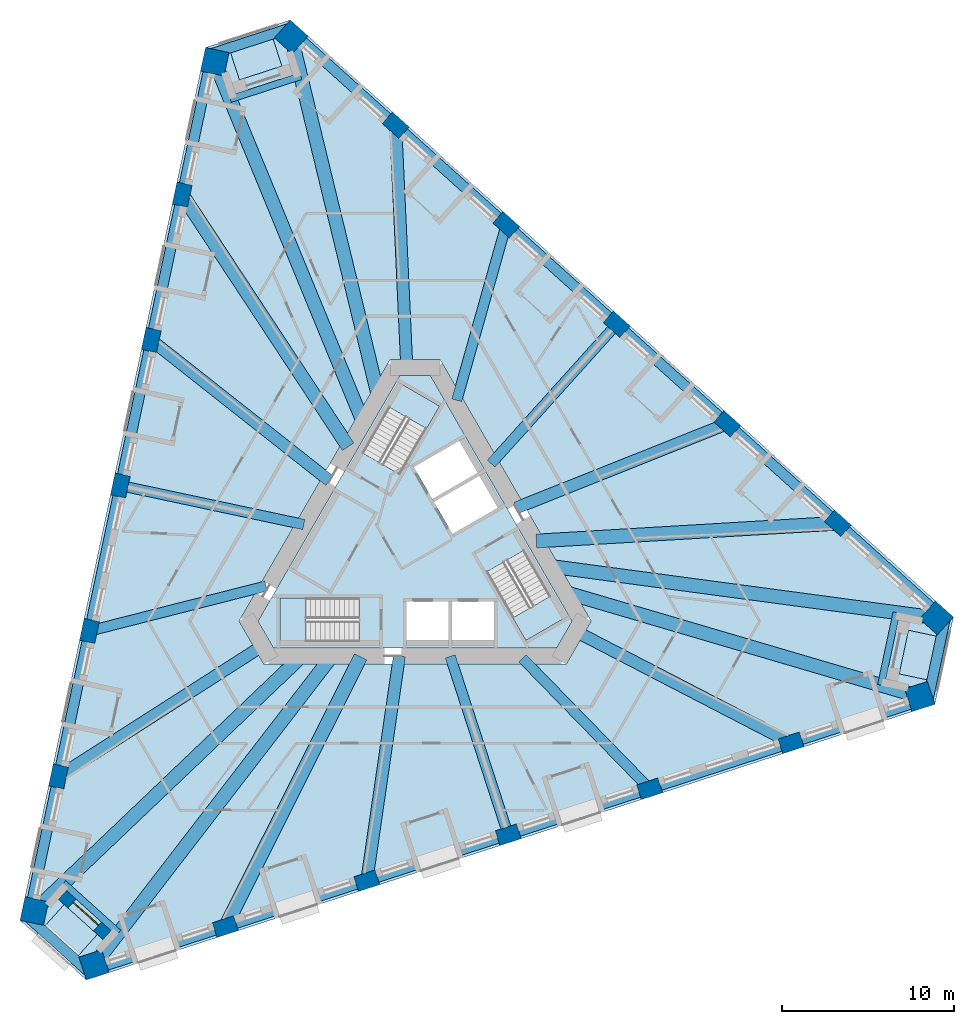
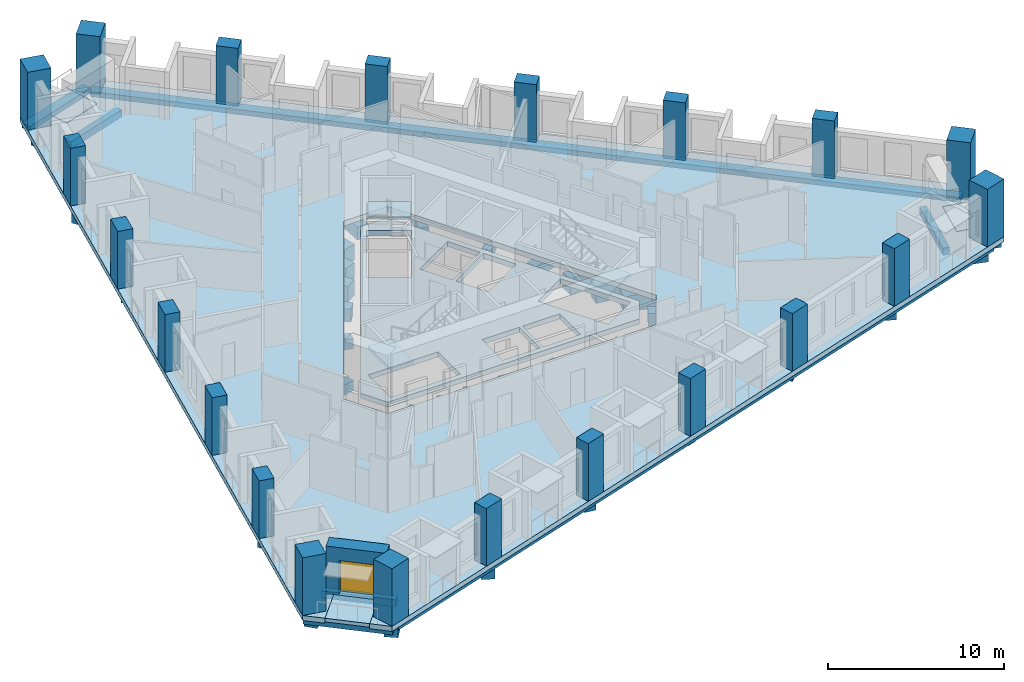
# One storey, part 1 of 12: 30 beams, 21 columns, 8 slabs, 1 door, 1 wall, 1 opening, 3 elements without a shape of their own.
"""IFC4 building model written with IfcOpenShell, lengths in metres."""

import ifcopenshell
import ifcopenshell.guid

model = None  # the IFC model being written
_history = None  # IfcOwnerHistory: only IFC2X3 demands one
_inside = {}  # id of a spatial element -> (the spatial element, [elements in it])
_under = {}  # id of a project, library or spatial element -> (it, [spatial elements below it])
_declared = {}  # id of a project -> (the project, [libraries it declares])
_typed = {}  # id of a type object -> (the type object, [elements of that type])
_made_of = {}  # id of a material, layer set ... -> (it, [elements and type objects made of it])


def new_model(schema):
    """Start an empty IFC model of exactly this schema.

    Asked for "IFC4X3", IfcOpenShell would pick the latest addendum, in which some entities
    have other attributes; the version numbers below select the first issue.
    IFC2X3 requires an IfcOwnerHistory on every rooted entity: one is made here for all.
    """
    global model, _history
    if schema == "IFC4X3":
        model = ifcopenshell.file(schema_version=(4, 3, 0, 0))
    else:
        model = ifcopenshell.file(schema=schema)
    _inside.clear()
    _under.clear()
    _declared.clear()
    _typed.clear()
    _made_of.clear()
    _history = None
    if model.schema == "IFC2X3":
        org = make("IfcOrganization", Name="unknown")
        user = make(
            "IfcPersonAndOrganization",
            ThePerson=make("IfcPerson", FamilyName="unknown"),
            TheOrganization=org,
        )
        app = make(
            "IfcApplication",
            ApplicationDeveloper=org,
            Version="unknown",
            ApplicationFullName="unknown",
            ApplicationIdentifier="unknown",
        )
        _history = make(
            "IfcOwnerHistory",
            OwningUser=user,
            OwningApplication=app,
            ChangeAction="ADDED",
            CreationDate=0,
        )
    return model


def make(cls, **values):
    """One entity of the class cls with the attributes given. An attribute that is None is left unset."""
    return model.create_entity(
        cls, **{name: value for name, value in values.items() if value is not None}
    )


def rooted(cls, **values):
    """An entity with a GlobalId (a new one), such as an element, a storey or a relation."""
    return make(cls, GlobalId=ifcopenshell.guid.new(), OwnerHistory=_history, **values)


def si_unit(unit_type, name, prefix=None):
    """IfcSIUnit, for example si_unit("LENGTHUNIT", "METRE", prefix="MILLI")."""
    return make("IfcSIUnit", UnitType=unit_type, Prefix=prefix, Name=name)


def assignment(units):
    """IfcUnitAssignment: the units of a project."""
    return None if units is None else make("IfcUnitAssignment", Units=units)


def point(xyz):
    """IfcCartesianPoint."""
    return None if xyz is None else make("IfcCartesianPoint", Coordinates=xyz)


def direction(xyz):
    """IfcDirection."""
    return None if xyz is None else make("IfcDirection", DirectionRatios=xyz)


def frame(location, z_axis=None, x_axis=None):
    """IfcAxis2Placement3D, a coordinate frame: its origin and axes. An axis left out is left unset."""
    return make(
        "IfcAxis2Placement3D",
        Location=point(location),
        Axis=direction(z_axis),
        RefDirection=direction(x_axis),
    )


def frame_2d(location, x_axis=None):
    """IfcAxis2Placement2D, a coordinate frame in the plane: its origin and x axis."""
    return make(
        "IfcAxis2Placement2D", Location=point(location), RefDirection=direction(x_axis)
    )


def origin():
    """The frame at (0, 0, 0) with its axes left unset."""
    return frame((0.0, 0.0, 0.0))


def origin_2d():
    """The frame at (0, 0) in the plane with its x axis left unset."""
    return frame_2d((0.0, 0.0))


def place(relative_to, where):
    """IfcLocalPlacement: puts the frame where relative to a parent placement (None: the world)."""
    return make(
        "IfcLocalPlacement", PlacementRelTo=relative_to, RelativePlacement=where
    )


def context(
    kind, dimensions, precision=None, world=None, true_north=None, identifier=None
):
    """IfcGeometricRepresentationContext, for example the 3D "Model" context."""
    return make(
        "IfcGeometricRepresentationContext",
        ContextIdentifier=identifier,
        ContextType=kind,
        CoordinateSpaceDimension=dimensions,
        Precision=precision,
        WorldCoordinateSystem=world,
        TrueNorth=true_north,
    )


def subcontext(parent, identifier, kind, view, scale=None):
    """IfcGeometricRepresentationSubContext, for example "Body" below "Model"."""
    return make(
        "IfcGeometricRepresentationSubContext",
        ContextIdentifier=identifier,
        ContextType=kind,
        ParentContext=parent,
        TargetScale=scale,
        TargetView=view,
    )


def project(units=None, contexts=None):
    """IfcProject with its units and contexts."""
    return rooted(
        "IfcProject",
        Name="project",
        RepresentationContexts=contexts,
        UnitsInContext=assignment(units),
    )


def spatial(cls, under=None, at=None, **own):
    """A site, building, storey or space (cls), placed at a placement, below another one or the project."""
    s = rooted(cls, ObjectPlacement=at, **own)
    if under is not None:
        _under.setdefault(under.id(), (under, []))[1].append(s)
    return s


def polyline(points):
    """IfcPolyline through the points."""
    return make("IfcPolyline", Points=[point(p) for p in points])


def profile(cls, at=None, kind="AREA", **sizes):
    """A parametric profile (cls). Its sizes go by their IFC names, for example OverallWidth=200.0."""
    return make(cls, ProfileType=kind, Position=at, **sizes)


def rectangle(**sizes):
    """IfcRectangleProfileDef."""
    return profile("IfcRectangleProfileDef", **sizes)


def outline(outer, holes=None, kind="AREA"):
    """IfcArbitraryClosedProfileDef: a profile drawn as a closed curve; with holes, ...WithVoids."""
    if holes is None:
        return make("IfcArbitraryClosedProfileDef", ProfileType=kind, OuterCurve=outer)
    return make(
        "IfcArbitraryProfileDefWithVoids",
        ProfileType=kind,
        OuterCurve=outer,
        InnerCurves=holes,
    )


def extrude(swept, where, along, depth):
    """IfcExtrudedAreaSolid: the profile swept, set in the frame where, extruded along a direction by depth."""
    return make(
        "IfcExtrudedAreaSolid",
        SweptArea=swept,
        Position=where,
        ExtrudedDirection=direction(along),
        Depth=depth,
    )


def shape(context_of_items, identifier, shape_type, items):
    """IfcShapeRepresentation: the items that make up one representation, for example the "Body"."""
    return make(
        "IfcShapeRepresentation",
        ContextOfItems=context_of_items,
        RepresentationIdentifier=identifier,
        RepresentationType=shape_type,
        Items=items,
    )


def material(Name=None, Category=None):
    """IfcMaterial."""
    return make("IfcMaterial", Name=Name, Category=Category)


def layer(
    of_material, thickness, ventilated=None, Name=None, Category=None, Priority=None
):
    """IfcMaterialLayer: one layer of a wall or slab, of a material (None: an air gap)."""
    return make(
        "IfcMaterialLayer",
        Material=of_material,
        LayerThickness=thickness,
        IsVentilated=ventilated,
        Name=Name,
        Category=Category,
        Priority=Priority,
    )


def layer_set(layers, Name=None):
    """IfcMaterialLayerSet."""
    return make("IfcMaterialLayerSet", MaterialLayers=layers, LayerSetName=Name)


def material_profile(
    of_material, cross_section, Name=None, Category=None, Priority=None
):
    """IfcMaterialProfile: a cross section and its material."""
    return make(
        "IfcMaterialProfile",
        Name=Name,
        Material=of_material,
        Profile=cross_section,
        Priority=Priority,
        Category=Category,
    )


def profile_set(profiles, Name=None, composite=None):
    """IfcMaterialProfileSet."""
    return make(
        "IfcMaterialProfileSet",
        Name=Name,
        MaterialProfiles=profiles,
        CompositeProfile=composite,
    )


def made_of(thing, what):
    """Note that an element or type object is made of a material, layer set ...; save() writes the relation."""
    if what is not None:
        _made_of.setdefault(what.id(), (what, []))[1].append(thing)
    return thing


def type_object(cls, material=None, **own):
    """A type object (cls), such as IfcWallType, which elements share."""
    return made_of(rooted(cls, **own), material)


def element(
    cls,
    number,
    at=None,
    inside=None,
    cuts=None,
    type_object=None,
    material=None,
    context=None,
    identifier="Body",
    shape_type=None,
    held_by="IfcProductDefinitionShape",
    body=None,
    shapes=None,
    **own,
):
    """One element of the class cls, such as IfcWall. Its Tag is "e" and its number.

    at: its placement. inside: the storey or other place that contains it. cuts: it is an
    opening in that element (IfcRelVoidsElement). A single representation is given by context,
    identifier, shape_type and body (its items); several are given by shapes. held_by: the class
    of the entity that holds the representations. save() writes the other relations.
    """
    e = rooted(cls, Tag="e%d" % number, ObjectPlacement=at, **own)
    if body is not None:
        shapes = [shape(context, identifier, shape_type, body)]
    if shapes is not None:
        e.Representation = make(held_by, Representations=shapes)
    if inside is not None:
        _inside.setdefault(inside.id(), (inside, []))[1].append(e)
    if cuts is not None:
        rooted(
            "IfcRelVoidsElement", RelatingBuildingElement=cuts, RelatedOpeningElement=e
        )
    if type_object is not None:
        _typed.setdefault(type_object.id(), (type_object, []))[1].append(e)
    return made_of(e, material)


def fill(opening, filler):
    """IfcRelFillsElement: the door or window that sits in an opening."""
    return rooted(
        "IfcRelFillsElement",
        RelatingOpeningElement=opening,
        RelatedBuildingElement=filler,
    )


def aggregate(whole, parts):
    """IfcRelAggregates: a whole, such as a stair, and the parts it consists of."""
    return rooted("IfcRelAggregates", RelatingObject=whole, RelatedObjects=parts)


def save(model, path):
    """Write the relations noted so far, then the file.

    IfcRelAggregates (storeys below a building ...), IfcRelContainedInSpatialStructure (elements
    in a storey), IfcRelDefinesByType, IfcRelAssociatesMaterial and IfcRelDeclares: one each for
    every whole, place, type object, material and project.
    """
    for whole, parts in _under.values():
        aggregate(whole, parts)
    for where, things in _inside.values():
        rooted(
            "IfcRelContainedInSpatialStructure",
            RelatedElements=things,
            RelatingStructure=where,
        )
    for kind, things in _typed.values():
        rooted("IfcRelDefinesByType", RelatedObjects=things, RelatingType=kind)
    for what, things in _made_of.values():
        rooted("IfcRelAssociatesMaterial", RelatedObjects=things, RelatingMaterial=what)
    for by, libraries in _declared.values():
        rooted("IfcRelDeclares", RelatingContext=by, RelatedDefinitions=libraries)
    model.write(path)


model = new_model("IFC4")

# Units and contexts
model_context = context("Model", 3, precision=1e-05, world=origin(), true_north=direction((0.0, 1.0)))
body_context = subcontext(model_context, "Body", "Model", "MODEL_VIEW")
ifc_project = project(units=[si_unit("LENGTHUNIT", "METRE"), si_unit("AREAUNIT", "SQUARE_METRE"), si_unit("VOLUMEUNIT", "CUBIC_METRE"), si_unit("PLANEANGLEUNIT", "RADIAN"), si_unit("MASSUNIT", "GRAM", prefix="KILO")], contexts=[model_context])

# Site, building, storey
site_placement = place(None, origin())
site = spatial("IfcSite", under=ifc_project, at=site_placement, CompositionType="ELEMENT")
building_placement = place(site_placement, origin())
building = spatial("IfcBuilding", under=site, at=building_placement, Name="Tramontana Tower", CompositionType="ELEMENT")
storey_placement = place(building_placement, frame((0.0, 0.0, 92.39990234375)))
storey = spatial("IfcBuildingStorey", under=building, at=storey_placement, Name="L20", CompositionType="ELEMENT", Elevation=92.39990234375)

# Columns
ifc_material_1 = material(Name="Concrete 70 MPa", Category="concrete")
ifc_material_profile_1 = material_profile(ifc_material_1, rectangle(XDim=1.39990234375, YDim=1.39990234375, at=origin_2d()), Name="Mega column 1400X1400 70 MPa")
ifc_profile_set_1 = profile_set([ifc_material_profile_1], Name="Concrete 70 MPa")
column_type_1 = type_object("IfcColumnType", Name="Mega column 1400X1400 70 MPa", PredefinedType="COLUMN", material=ifc_profile_set_1)
for number, where, z_axis, x_axis, name in (
    (1, (-11.665771484375, 28.3251953125, 0.0), (0.0, 0.0, 1.0), (-0.207911690818, -0.978147600734, 0.0), "Mega column C2K1 L20"),
    (2, (-22.17822265625, -21.13134765625, 0.0), (0.0, 0.0, 1.0), (-0.207911690818, -0.978147600734, 0.0), "Mega column C2K2 L20"),
    (3, (-18.697509765625, -24.265380859375, 0.0), (0.0, 0.0, 1.0), (0.951056516295, 0.309016994375, 0.0), "Mega column C2K3 L20"),
    (4, (29.389404296875, -8.64111328125, 0.0), (0.0, 0.0, 1.0), (0.951056516295, 0.309016994375, 0.0), "Mega column C2K4 L20"),
    (5, (30.36328125, -4.059814453125, 0.0), (0.0, 0.0, 1.0), (-0.743144825477, 0.669130606359, 0.0), "Mega column C2K5 L20"),
    (6, (-7.21142578125, 29.7724609375, 0.0), (0.0, 0.0, 1.0), (-0.743144825477, 0.669130606359, 0.0), "Mega column C2K6 L20"),
):
    element("IfcColumn", number, at=place(storey_placement, frame(where, z_axis=z_axis, x_axis=x_axis)), inside=storey, type_object=column_type_1, Name=name, PredefinedType="COLUMN", context=body_context, shape_type="SweptSolid", body=[
        extrude(rectangle(XDim=1.39990234375, YDim=1.39990234375, at=origin_2d()), origin(), (0.0, 0.0, 1.0), 4.0),
    ])
ifc_material_2 = material(Name="Concrete 55 MPa", Category="concrete")
ifc_material_profile_2 = material_profile(ifc_material_2, rectangle(XDim=1.300048828125, YDim=0.89990234375, at=origin_2d()), Name="Pier column 1300X900 55 MPa")
ifc_profile_set_2 = profile_set([ifc_material_profile_2], Name="Concrete 55 MPa")
column_type_2 = type_object("IfcColumnType", Name="Pier column 1300X900 55 MPa", PredefinedType="COLUMN", material=ifc_profile_set_2)
for number, where, z_axis, x_axis, name in (
    (7, (-13.5654296875, 20.5908203125, 0.0), (0.0, 0.0, 1.0), (-0.207911690818, -0.978147600734, 0.0), "Pier column C2F01 L20"),
    (8, (-15.365966796875, 12.119873046875, 0.0), (0.0, 0.0, 1.0), (-0.207911690818, -0.978147600734, 0.0), "Pier column C2F02 L20"),
    (9, (-17.16650390625, 3.64892578125, 0.0), (0.0, 0.0, 1.0), (-0.207911690818, -0.978147600734, 0.0), "Pier column C2F03 L20"),
    (10, (-18.967041015625, -4.822265625, 0.0), (0.0, 0.0, 1.0), (-0.207911690818, -0.978147600734, 0.0), "Pier column C2F04 L20"),
    (11, (-20.767578125, -13.293212890625, 0.0), (0.0, 0.0, 1.0), (-0.207911690818, -0.978147600734, 0.0), "Pier column C2F05 L20"),
    (12, (-11.049560546875, -22.04345703125, 0.0), (0.0, 0.0, 1.0), (0.951056516295, 0.309016994375, 0.0), "Pier column C2F06 L20"),
    (13, (-2.813232421875, -19.3671875, 0.0), (0.0, 0.0, 1.0), (0.951056516295, 0.309016994375, 0.0), "Pier column C2F07 L20"),
    (14, (5.42333984375, -16.691162109375, 0.0), (0.0, 0.0, 1.0), (0.951056516295, 0.309016994375, 0.0), "Pier column C2F08 L20"),
    (15, (13.65966796875, -14.014892578125, 0.0), (0.0, 0.0, 1.0), (0.951056516295, 0.309016994375, 0.0), "Pier column C2F09 L20"),
    (16, (21.89599609375, -11.338623046875, 0.0), (0.0, 0.0, 1.0), (0.951056516295, 0.309016994375, 0.0), "Pier column C2F10 L20"),
    (17, (24.614990234375, 1.452392578125, 0.0), (0.0, 0.0, 1.0), (-0.743144825477, 0.669130606359, 0.0), "Pier column C2F11 L20"),
    (18, (18.178955078125, 7.247314453125, 0.0), (0.0, 0.0, 1.0), (-0.743144825477, 0.669130606359, 0.0), "Pier column C2F12 L20"),
    (19, (11.7431640625, 13.042236328125, 0.0), (0.0, 0.0, 1.0), (-0.743144825477, 0.669130606359, 0.0), "Pier column C2F13 L20"),
    (20, (5.307373046875, 18.8369140625, 0.0), (0.0, 0.0, 1.0), (-0.743144825477, 0.669130606359, 0.0), "Pier column C2F14 L20"),
    (21, (-1.12841796875, 24.6318359375, 0.0), (0.0, 0.0, 1.0), (-0.743144825477, 0.669130606359, 0.0), "Pier column C2F15 L20"),
):
    element("IfcColumn", number, at=place(storey_placement, frame(where, z_axis=z_axis, x_axis=x_axis)), inside=storey, type_object=column_type_2, Name=name, PredefinedType="COLUMN", context=body_context, shape_type="SweptSolid", body=[
        extrude(rectangle(XDim=1.300048828125, YDim=0.89990234375, at=origin_2d()), origin(), (0.0, 0.0, 1.0), 4.0),
    ])

# Beams
ifc_material_3 = material(Name="Concrete 40 MPa", Category="concrete")
ifc_material_profile_3 = material_profile(ifc_material_3, rectangle(XDim=0.60009765625, YDim=0.35009765625, at=origin_2d()), Name="RC EDGE BEAM 600X350 40 MPa")
ifc_profile_set_3 = profile_set([ifc_material_profile_3], Name="Concrete 40 MPa")
beam_type_1 = type_object("IfcBeamType", Name="RC EDGE BEAM 600X350 40 MPa", PredefinedType="SPANDREL", material=ifc_profile_set_3)
beam_1_placement = place(storey_placement, frame((-11.910400390625, 28.377197265625, -0.52490234375), z_axis=(-0.207908708796, -0.978148234577, 0.0), x_axis=(0.978148234577, -0.207908708796, 0.0)))
element("IfcBeam", 22, at=beam_1_placement, inside=storey, type_object=beam_type_1, Name="Spandrel beam S0 L20", PredefinedType="SPANDREL", context=body_context, shape_type="SweptSolid", body=[
    extrude(rectangle(XDim=0.60009765625, YDim=0.35009765625, at=origin_2d()), origin(), (0.0, 0.0, 1.0), 50.561767578125),
])
beam_2_placement = place(storey_placement, frame((-18.6201171875, -24.503173828125, -0.52490234375), z_axis=(0.95105720178, 0.309014884661, 0.0), x_axis=(-0.309014884661, 0.95105720178, 0.0)))
element("IfcBeam", 23, at=beam_2_placement, inside=storey, type_object=beam_type_1, Name="Spandrel beam S1 L20", PredefinedType="SPANDREL", context=body_context, shape_type="SweptSolid", body=[
    extrude(rectangle(XDim=0.60009765625, YDim=0.35009765625, at=origin_2d()), origin(), (0.0, 0.0, 1.0), 50.5615234375),
])
beam_3_placement = place(storey_placement, frame((30.530517578125, -3.873779296875, -0.52490234375), z_axis=(-0.743146468863, 0.66912878119, 0.0), x_axis=(-0.66912878119, -0.743146468863, 0.0)))
element("IfcBeam", 24, at=beam_3_placement, inside=storey, type_object=beam_type_1, Name="Spandrel beam S2 L20", PredefinedType="SPANDREL", context=body_context, shape_type="SweptSolid", body=[
    extrude(rectangle(XDim=0.60009765625, YDim=0.35009765625, at=origin_2d()), origin(), (0.0, 0.0, 1.0), 50.561279296875),
])
beam_4_placement = place(storey_placement, frame((-7.1240234375, 30.333251953125, -0.52490234375), z_axis=(-0.951056854477, -0.309015953557, 0.0), x_axis=(0.309015953557, -0.951056854477, 0.0)))
element("IfcBeam", 25, at=beam_4_placement, inside=storey, type_object=beam_type_1, Name="Spandrel beam K0 L20", PredefinedType="SPANDREL", context=body_context, shape_type="SweptSolid", body=[
    extrude(rectangle(XDim=0.60009765625, YDim=0.35009765625, at=origin_2d()), origin(), (0.0, 0.0, 1.0), 5.1962890625),
])
beam_5_placement = place(storey_placement, frame((-22.707275390625, -21.336181640625, -0.52490234375), z_axis=(0.743160964229, -0.669112682025, 0.0), x_axis=(0.669112682025, 0.743160964229, 0.0)))
element("IfcBeam", 26, at=beam_5_placement, inside=storey, type_object=beam_type_1, Name="Spandrel beam K1 L20", PredefinedType="SPANDREL", context=body_context, shape_type="SweptSolid", body=[
    extrude(rectangle(XDim=0.60009765625, YDim=0.35009765625, at=origin_2d()), origin(), (0.0, 0.0, 1.0), 5.196044921875),
])
beam_6_placement = place(storey_placement, frame((29.831298828125, -8.9970703125, -0.52490234375), z_axis=(0.207902023431, 0.97814965555, 0.0), x_axis=(-0.97814965555, 0.207902023431, 0.0)))
element("IfcBeam", 27, at=beam_6_placement, inside=storey, type_object=beam_type_1, Name="Spandrel beam K2 L20", PredefinedType="SPANDREL", context=body_context, shape_type="SweptSolid", body=[
    extrude(rectangle(XDim=0.60009765625, YDim=0.35009765625, at=origin_2d()), origin(), (0.0, 0.0, 1.0), 5.1962890625),
])
ifc_material_4 = material(Name="Concrete 40 MPa", Category="concrete")
ifc_material_profile_4 = material_profile(ifc_material_4, rectangle(XDim=0.60009765625, YDim=0.699951171875, at=origin_2d()), Name="RC GIRDER 600X700 40 MPa")
ifc_profile_set_4 = profile_set([ifc_material_profile_4], Name="Concrete 40 MPa")
beam_type_2 = type_object("IfcBeamType", Name="RC GIRDER 600X700 40 MPa", PredefinedType="BEAM", material=ifc_profile_set_4)
beam_7_placement = place(storey_placement, frame((-17.16650390625, 3.64892578125, -0.699951171875), z_axis=(0.978147322784, -0.207912998466, 0.0), x_axis=(0.207912998466, 0.978147322784, 0.0)))
element("IfcBeam", 28, at=beam_7_placement, inside=storey, type_object=beam_type_2, Name="Radial girder C2F03 L20", PredefinedType="BEAM", context=body_context, shape_type="SweptSolid", body=[
    extrude(rectangle(XDim=0.60009765625, YDim=0.699951171875, at=origin_2d()), origin(), (0.0, 0.0, 1.0), 10.927490234375),
])
beam_8_placement = place(storey_placement, frame((-18.967041015625, -4.822265625, -0.699951171875), z_axis=(0.969167879742, 0.24640134106, 0.0), x_axis=(-0.24640134106, 0.969167879742, 0.0)))
element("IfcBeam", 29, at=beam_8_placement, inside=storey, type_object=beam_type_2, Name="Radial girder C2F04 L20", PredefinedType="BEAM", context=body_context, shape_type="SweptSolid", body=[
    extrude(rectangle(XDim=0.60009765625, YDim=0.699951171875, at=origin_2d()), origin(), (0.0, 0.0, 1.0), 10.61962890625),
])
beam_9_placement = place(storey_placement, frame((5.423095703125, -16.69091796875, -0.699951171875), z_axis=(-0.309006757929, 0.951059842257, 0.0), x_axis=(-0.951059842257, -0.309006757929, 0.0)))
element("IfcBeam", 30, at=beam_9_placement, inside=storey, type_object=beam_type_2, Name="Radial girder C2F08 L20", PredefinedType="BEAM", context=body_context, shape_type="SweptSolid", body=[
    extrude(rectangle(XDim=0.60009765625, YDim=0.699951171875, at=origin_2d()), origin(), (0.0, 0.0, 1.0), 10.927734375),
])
beam_10_placement = place(storey_placement, frame((13.65966796875, -14.014892578125, -0.699951171875), z_axis=(-0.697979323515, 0.716117912041, 0.0), x_axis=(-0.716117912041, -0.697979323515, 0.0)))
element("IfcBeam", 31, at=beam_10_placement, inside=storey, type_object=beam_type_2, Name="Radial girder C2F09 L20", PredefinedType="BEAM", context=body_context, shape_type="SweptSolid", body=[
    extrude(rectangle(XDim=0.60009765625, YDim=0.699951171875, at=origin_2d()), origin(), (0.0, 0.0, 1.0), 10.61962890625),
])
beam_11_placement = place(storey_placement, frame((11.7431640625, 13.042236328125, -0.699951171875), z_axis=(-0.669128882364, -0.743146377766, 0.0), x_axis=(0.743146377766, -0.669128882364, 0.0)))
element("IfcBeam", 32, at=beam_11_placement, inside=storey, type_object=beam_type_2, Name="Radial girder C2F13 L20", PredefinedType="BEAM", context=body_context, shape_type="SweptSolid", body=[
    extrude(rectangle(XDim=0.60009765625, YDim=0.699951171875, at=origin_2d()), origin(), (0.0, 0.0, 1.0), 10.927734375),
])
beam_12_placement = place(storey_placement, frame((5.307373046875, 18.8369140625, -0.699951171875), z_axis=(-0.271184951147, -0.962527257937, 0.0), x_axis=(0.962527257937, -0.271184951147, 0.0)))
element("IfcBeam", 33, at=beam_12_placement, inside=storey, type_object=beam_type_2, Name="Radial girder C2F14 L20", PredefinedType="BEAM", context=body_context, shape_type="SweptSolid", body=[
    extrude(rectangle(XDim=0.60009765625, YDim=0.699951171875, at=origin_2d()), origin(), (0.0, 0.0, 1.0), 10.61962890625),
])
ifc_material_5 = material(Name="Concrete 40 MPa", Category="concrete")
ifc_material_profile_5 = material_profile(ifc_material_5, rectangle(XDim=0.699951171875, YDim=0.89990234375, at=origin_2d()), Name="RC GIRDER 700X900 40 MPa")
ifc_profile_set_5 = profile_set([ifc_material_profile_5], Name="Concrete 40 MPa")
beam_type_3 = type_object("IfcBeamType", Name="RC GIRDER 700X900 40 MPa", PredefinedType="BEAM", material=ifc_profile_set_5)
beam_13_placement = place(storey_placement, frame((-15.365966796875, 12.119873046875, -0.7998046875), z_axis=(0.785161962565, -0.619290475093, 0.0), x_axis=(0.619290475093, 0.785161962565, 0.0)))
element("IfcBeam", 34, at=beam_13_placement, inside=storey, type_object=beam_type_3, Name="Radial girder C2F02 L20", PredefinedType="BEAM", context=body_context, shape_type="SweptSolid", body=[
    extrude(rectangle(XDim=0.699951171875, YDim=0.89990234375, at=origin_2d()), origin(), (0.0, 0.0, 1.0), 13.224609375),
])
beam_14_placement = place(storey_placement, frame((-20.767578125, -13.293212890625, -0.7998046875), z_axis=(0.842236860049, 0.539107662323, 0.0), x_axis=(-0.539107662323, 0.842236860049, 0.0)))
element("IfcBeam", 35, at=beam_14_placement, inside=storey, type_object=beam_type_3, Name="Radial girder C2F05 L20", PredefinedType="BEAM", context=body_context, shape_type="SweptSolid", body=[
    extrude(rectangle(XDim=0.699951171875, YDim=0.89990234375, at=origin_2d()), origin(), (0.0, 0.0, 1.0), 14.12109375),
])
beam_15_placement = place(storey_placement, frame((-2.81298828125, -19.3671875, -0.7998046875), z_axis=(0.143736706845, 0.989615965466, 0.0), x_axis=(-0.989615965466, 0.143736706845, 0.0)))
element("IfcBeam", 36, at=beam_15_placement, inside=storey, type_object=beam_type_3, Name="Radial girder C2F07 L20", PredefinedType="BEAM", context=body_context, shape_type="SweptSolid", body=[
    extrude(rectangle(XDim=0.699951171875, YDim=0.89990234375, at=origin_2d()), origin(), (0.0, 0.0, 1.0), 13.224609375),
])
beam_16_placement = place(storey_placement, frame((21.89599609375, -11.338623046875, -0.7998046875), z_axis=(-0.88800272981, 0.45983818007, 0.0), x_axis=(-0.45983818007, -0.88800272981, 0.0)))
element("IfcBeam", 37, at=beam_16_placement, inside=storey, type_object=beam_type_3, Name="Radial girder C2F10 L20", PredefinedType="BEAM", context=body_context, shape_type="SweptSolid", body=[
    extrude(rectangle(XDim=0.699951171875, YDim=0.89990234375, at=origin_2d()), origin(), (0.0, 0.0, 1.0), 14.12109375),
])
beam_17_placement = place(storey_placement, frame((18.17919921875, 7.247314453125, -0.7998046875), z_axis=(-0.928907671919, -0.370311405509, 0.0), x_axis=(0.370311405509, -0.928907671919, 0.0)))
element("IfcBeam", 38, at=beam_17_placement, inside=storey, type_object=beam_type_3, Name="Radial girder C2F12 L20", PredefinedType="BEAM", context=body_context, shape_type="SweptSolid", body=[
    extrude(rectangle(XDim=0.699951171875, YDim=0.89990234375, at=origin_2d()), origin(), (0.0, 0.0, 1.0), 13.224609375),
])
beam_18_placement = place(storey_placement, frame((-1.12841796875, 24.6318359375, -0.7998046875), z_axis=(0.045763702309, -0.99895229293, 0.0), x_axis=(0.99895229293, 0.045763702309, 0.0)))
element("IfcBeam", 39, at=beam_18_placement, inside=storey, type_object=beam_type_3, Name="Radial girder C2F15 L20", PredefinedType="BEAM", context=body_context, shape_type="SweptSolid", body=[
    extrude(rectangle(XDim=0.699951171875, YDim=0.89990234375, at=origin_2d()), origin(), (0.0, 0.0, 1.0), 14.121337890625),
])
ifc_material_6 = material(Name="Concrete 40 MPa", Category="concrete")
ifc_material_profile_6 = material_profile(ifc_material_6, rectangle(XDim=0.800048828125, YDim=1.10009765625, at=origin_2d()), Name="RC GIRDER 800X1100 40 MPa")
ifc_profile_set_6 = profile_set([ifc_material_profile_6], Name="Concrete 40 MPa")
beam_type_4 = type_object("IfcBeamType", Name="RC GIRDER 800X1100 40 MPa", PredefinedType="BEAM", material=ifc_profile_set_6)
beam_19_placement = place(storey_placement, frame((-11.665771484375, 28.3251953125, -0.89990234375), z_axis=(0.380819934235, -0.924649218725, 0.0), x_axis=(0.924649218725, 0.380819934235, 0.0)))
element("IfcBeam", 40, at=beam_19_placement, inside=storey, type_object=beam_type_4, Name="Radial girder C2K1 L20", PredefinedType="BEAM", context=body_context, shape_type="SweptSolid", body=[
    extrude(rectangle(XDim=0.800048828125, YDim=1.10009765625, at=origin_2d()), origin(), (0.0, 0.0, 1.0), 22.5869140625),
])
beam_20_placement = place(storey_placement, frame((-13.5654296875, 20.5908203125, -0.89990234375), z_axis=(0.550154503281, -0.835062885368, 0.0), x_axis=(0.835062885368, 0.550154503281, 0.0)))
element("IfcBeam", 41, at=beam_20_placement, inside=storey, type_object=beam_type_4, Name="Radial girder C2F01 L20", PredefinedType="BEAM", context=body_context, shape_type="SweptSolid", body=[
    extrude(rectangle(XDim=0.800048828125, YDim=1.10009765625, at=origin_2d()), origin(), (0.0, 0.0, 1.0), 17.58203125),
])
beam_21_placement = place(storey_placement, frame((-22.177978515625, -21.13134765625, -0.89990234375), z_axis=(0.723983254275, 0.689817546551, 0.0), x_axis=(-0.689817546551, 0.723983254275, 0.0)))
element("IfcBeam", 42, at=beam_21_placement, inside=storey, type_object=beam_type_4, Name="Radial girder C2K2 L20", PredefinedType="BEAM", context=body_context, shape_type="SweptSolid", body=[
    extrude(rectangle(XDim=0.800048828125, YDim=1.10009765625, at=origin_2d()), origin(), (0.0, 0.0, 1.0), 21.322998046875),
])
beam_22_placement = place(storey_placement, frame((-18.697509765625, -24.265380859375, -0.89990234375), z_axis=(0.610367161523, 0.792118632614, 0.0), x_axis=(-0.792118632614, 0.610367161523, 0.0)))
element("IfcBeam", 43, at=beam_22_placement, inside=storey, type_object=beam_type_4, Name="Radial girder C2K3 L20", PredefinedType="BEAM", context=body_context, shape_type="SweptSolid", body=[
    extrude(rectangle(XDim=0.800048828125, YDim=1.10009765625, at=origin_2d()), origin(), (0.0, 0.0, 1.0), 22.5869140625),
])
beam_23_placement = place(storey_placement, frame((-11.049560546875, -22.04345703125, -0.89990234375), z_axis=(0.448118712833, 0.893974059584, 0.0), x_axis=(-0.893974059584, 0.448118712833, 0.0)))
element("IfcBeam", 44, at=beam_23_placement, inside=storey, type_object=beam_type_4, Name="Radial girder C2F06 L20", PredefinedType="BEAM", context=body_context, shape_type="SweptSolid", body=[
    extrude(rectangle(XDim=0.800048828125, YDim=1.10009765625, at=origin_2d()), origin(), (0.0, 0.0, 1.0), 17.582275390625),
])
beam_24_placement = place(storey_placement, frame((29.389404296875, -8.64111328125, -0.89990234375), z_axis=(-0.959390293023, 0.282082019372, 0.0), x_axis=(-0.282082019372, -0.959390293023, 0.0)))
element("IfcBeam", 45, at=beam_24_placement, inside=storey, type_object=beam_type_4, Name="Radial girder C2K4 L20", PredefinedType="BEAM", context=body_context, shape_type="SweptSolid", body=[
    extrude(rectangle(XDim=0.800048828125, YDim=1.10009765625, at=origin_2d()), origin(), (0.0, 0.0, 1.0), 21.3232421875),
])
beam_25_placement = place(storey_placement, frame((30.36328125, -4.059814453125, -0.89990234375), z_axis=(-0.99117940686, 0.132526915819, 0.0), x_axis=(-0.132526915819, -0.99117940686, 0.0)))
element("IfcBeam", 46, at=beam_25_placement, inside=storey, type_object=beam_type_4, Name="Radial girder C2K5 L20", PredefinedType="BEAM", context=body_context, shape_type="SweptSolid", body=[
    extrude(rectangle(XDim=0.800048828125, YDim=1.10009765625, at=origin_2d()), origin(), (0.0, 0.0, 1.0), 22.587158203125),
])
beam_26_placement = place(storey_placement, frame((24.614990234375, 1.452392578125, -0.89990234375), z_axis=(-0.998263727152, -0.058902725346, 0.0), x_axis=(0.058902725346, -0.998263727152, 0.0)))
element("IfcBeam", 47, at=beam_26_placement, inside=storey, type_object=beam_type_4, Name="Radial girder C2F11 L20", PredefinedType="BEAM", context=body_context, shape_type="SweptSolid", body=[
    extrude(rectangle(XDim=0.800048828125, YDim=1.10009765625, at=origin_2d()), origin(), (0.0, 0.0, 1.0), 17.582275390625),
])
beam_27_placement = place(storey_placement, frame((-7.211181640625, 29.7724609375, -0.89990234375), z_axis=(0.235403401789, -0.971897751014, 0.0), x_axis=(0.971897751014, 0.235403401789, 0.0)))
element("IfcBeam", 48, at=beam_27_placement, inside=storey, type_object=beam_type_4, Name="Radial girder C2K6 L20", PredefinedType="BEAM", context=body_context, shape_type="SweptSolid", body=[
    extrude(rectangle(XDim=0.800048828125, YDim=1.10009765625, at=origin_2d()), origin(), (0.0, 0.0, 1.0), 21.322998046875),
])
ifc_material_7 = material(Name="Concrete 40 MPa", Category="concrete")
ifc_material_profile_7 = material_profile(ifc_material_7, rectangle(XDim=0.39990234375, YDim=0.5, at=origin_2d()), Name="RC TRIM BEAM 400X500 40 MPa")
ifc_profile_set_7 = profile_set([ifc_material_profile_7], Name="Concrete 40 MPa")
beam_type_5 = type_object("IfcBeamType", Name="RC TRIM BEAM 400X500 40 MPa", PredefinedType="JOIST", material=ifc_profile_set_7)
for number, where, z_axis, x_axis, name in (
    (49, (-6.657958984375, 27.48779296875, -0.599853515625), (-0.951061034198, -0.309003089354, 0.0), (0.309003089354, -0.951061034198, 0.0), "Trimmer beam K0 L20"),
    (50, (-20.476318359375, -19.510009765625, -0.599853515625), (0.743173417356, -0.669098850496, 0.0), (0.669098850496, 0.743173417356, 0.0), "Trimmer beam K1 L20"),
    (51, (27.13427734375, -7.97802734375, -0.599853515625), (0.207882389407, 0.978153828482, 0.0), (-0.978153828482, 0.207882389407, 0.0), "Trimmer beam K2 L20"),
):
    element("IfcBeam", number, at=place(storey_placement, frame(where, z_axis=z_axis, x_axis=x_axis)), inside=storey, type_object=beam_type_5, Name=name, PredefinedType="JOIST", context=body_context, shape_type="SweptSolid", body=[
        extrude(rectangle(XDim=0.39990234375, YDim=0.5, at=origin_2d()), origin(), (0.0, 0.0, 1.0), 4.32421875),
    ])

# Slabs
ifc_material_8 = material(Name="Precast concrete 50 MPa", Category="concrete")
ifc_layer_1 = layer(ifc_material_8, 0.25)
ifc_layer_set_1 = layer_set([ifc_layer_1], Name="LT1 Loggia floor tray 250")
slab_type_1 = type_object("IfcSlabType", Name="LT1 Loggia floor tray 250", PredefinedType="FLOOR", material=ifc_layer_set_1)
slab_1_placement = place(storey_placement, frame((0.0, 0.0, -0.25)))
element("IfcSlab", 52, at=slab_1_placement, inside=storey, type_object=slab_type_1, Name="Corner loggia floor L20 K20", PredefinedType="FLOOR", context=body_context, shape_type="SweptSolid", body=[
    extrude(outline(polyline([(-8.49755859375, 30.360107421875), (-7.756103515625, 28.077392578125), (-10.228759765625, 27.27392578125), (-10.970458984375, 29.556640625), (-8.49755859375, 30.360107421875)])), origin(), (0.0, 0.0, 1.0), 0.25),
])
slab_2_placement = place(storey_placement, frame((0.0, 0.0, -0.25)))
element("IfcSlab", 53, at=slab_2_placement, inside=storey, type_object=slab_type_1, Name="Corner loggia floor L20 K21", PredefinedType="FLOOR", context=body_context, shape_type="SweptSolid", body=[
    extrude(outline(polyline([(-22.043701171875, -22.539306640625), (-20.437744140625, -20.755615234375), (-18.505615234375, -22.495361328125), (-20.111572265625, -24.279052734375), (-22.043701171875, -22.539306640625)])), origin(), (0.0, 0.0, 1.0), 0.25),
])
slab_3_placement = place(storey_placement, frame((0.0, 0.0, -0.25)))
element("IfcSlab", 54, at=slab_3_placement, inside=storey, type_object=slab_type_1, Name="Corner loggia floor L20 K22", PredefinedType="FLOOR", context=body_context, shape_type="SweptSolid", body=[
    extrude(outline(polyline([(30.541259765625, -7.82080078125), (28.19384765625, -7.32177734375), (28.734375, -4.778564453125), (31.08203125, -5.277587890625), (30.541259765625, -7.82080078125)])), origin(), (0.0, 0.0, 1.0), 0.25),
])
ifc_material_9 = material(Name="Concrete 40 MPa", Category="concrete")
ifc_layer_2 = layer(ifc_material_9, 0.35009765625)
ifc_layer_set_2 = layer_set([ifc_layer_2], Name="PT FLAT SLAB 350 40 MPa")
slab_type_2 = type_object("IfcSlabType", Name="PT FLAT SLAB 350 40 MPa", PredefinedType="FLOOR", material=ifc_layer_set_2)
slab_4_placement = place(storey_placement, frame((0.0, 0.0, -0.349853515625)))
element("IfcSlab", 55, at=slab_4_placement, inside=storey, type_object=slab_type_2, Name="Floor slab L20", PredefinedType="FLOOR", context=body_context, shape_type="SweptSolid", body=[
    extrude(outline(polyline([(31.081787109375, -5.277587890625), (28.734375, -4.778564453125), (28.19384765625, -7.32177734375), (30.54150390625, -7.82080078125), (30.271484375, -9.090576171875), (-19.14697265625, -25.1474609375), (-20.111572265625, -24.27880859375), (-18.505615234375, -22.495361328125), (-20.437744140625, -20.755615234375), (-22.043701171875, -22.539306640625), (-23.00830078125, -21.670654296875), (-12.205078125, 29.155517578125), (-10.970458984375, 29.556640625), (-10.228759765625, 27.27392578125), (-7.756103515625, 28.077392578125), (-8.497802734375, 30.360107421875), (-7.26318359375, 30.760986328125), (31.351806640625, -4.0078125), (31.081787109375, -5.277587890625)]), holes=[polyline([(-10.248046875, -4.25), (-8.8046875, -6.75), (8.8046875, -6.75), (10.248046875, -4.25), (1.443359375, 11.0), (-1.443359375, 11.0), (-10.248046875, -4.25)])]), origin(), (0.0, 0.0, 1.0), 0.349853515625),
])
slab_5_placement = place(storey_placement, frame((0.0, 0.0, -0.349853515625)))
element("IfcSlab", 56, at=slab_5_placement, inside=storey, type_object=slab_type_2, Name="Core floor slab L20", PredefinedType="FLOOR", context=body_context, shape_type="SweptSolid", body=[
    extrude(outline(polyline([(9.15087890625, -4.25), (8.256103515625, -5.800048828125), (-8.256103515625, -5.800048828125), (-9.15087890625, -4.25), (-0.89501953125, 10.050048828125), (0.89501953125, 10.050048828125), (9.15087890625, -4.25)]), holes=[polyline([(8.659912109375, -4.099365234375), (6.35986328125, -0.115478515625), (4.151611328125, -1.390625), (6.451416015625, -5.374267578125), (8.659912109375, -4.099365234375)]), polyline([(3.829833984375, 4.2666015625), (1.101806640625, 2.69140625), (2.177001953125, 0.82958984375), (4.90478515625, 2.404541015625), (3.829833984375, 4.2666015625)]), polyline([(4.590087890625, -3.10009765625), (2.139892578125, -3.10009765625), (2.139892578125, -5.449951171875), (4.590087890625, -5.449951171875), (4.590087890625, -3.10009765625)]), polyline([(2.65478515625, 6.3017578125), (-0.072998046875, 4.726806640625), (1.001953125, 2.86474609375), (3.729736328125, 4.439697265625), (2.65478515625, 6.3017578125)]), polyline([(1.93994140625, -5.449951171875), (1.93994140625, -3.10009765625), (-0.510009765625, -3.10009765625), (-0.510009765625, -5.449951171875), (1.93994140625, -5.449951171875)]), polyline([(-0.77978515625, 9.54931640625), (-3.079833984375, 5.565673828125), (-0.87158203125, 4.29052734375), (1.428466796875, 8.2744140625), (-0.77978515625, 9.54931640625)]), polyline([(-7.8798828125, -5.449951171875), (-3.280029296875, -5.449951171875), (-3.280029296875, -2.89990234375), (-7.8798828125, -2.89990234375), (-7.8798828125, -5.449951171875)])]), origin(), (0.0, 0.0, 1.0), 0.349853515625),
])

# Stair, slab
ifc_material_10 = material(Name="Concrete 40 MPa", Category="concrete")
stair_type = type_object("IfcStairType", Name="EXIT STAIR 24 RISERS", PredefinedType="HALF_TURN_STAIR", material=ifc_material_10)
stair_1_placement = place(storey_placement, origin())
stair_1 = element("IfcStair", 57, at=stair_1_placement, inside=storey, type_object=stair_type, Name="L20 Exit stair ST1", PredefinedType="HALF_TURN_STAIR")
ifc_material_11 = material(Name="Concrete 40 MPa", Category="concrete")
ifc_layer_3 = layer(ifc_material_11, 0.199951171875)
ifc_layer_set_3 = layer_set([ifc_layer_3], Name="STAIR LANDING 200")
slab_type_3 = type_object("IfcSlabType", Name="STAIR LANDING 200", PredefinedType="LANDING", material=ifc_layer_set_3)
slab_6_placement = place(storey_placement, frame((0.0, 0.0, 1.800048828125)))
slab_6 = element("IfcSlab", 58, at=slab_6_placement, type_object=slab_type_3, Name="ST1 landing 1", PredefinedType="LANDING", context=body_context, shape_type="SweptSolid", body=[
    extrude(outline(polyline([(0.66845703125, 6.9580078125), (1.428466796875, 8.274169921875), (-0.77978515625, 9.54931640625), (-1.539794921875, 8.23291015625), (0.66845703125, 6.9580078125)])), origin(), (0.0, 0.0, 1.0), 0.199951171875),
])
aggregate(stair_1, [slab_6])

stair_2_placement = place(storey_placement, origin())
stair_2 = element("IfcStair", 59, at=stair_2_placement, inside=storey, type_object=stair_type, Name="L20 Exit stair ST2", PredefinedType="HALF_TURN_STAIR")
slab_7_placement = place(storey_placement, frame((0.0, 0.0, 1.800048828125)))
slab_7 = element("IfcSlab", 60, at=slab_7_placement, type_object=slab_type_3, Name="ST2 landing 1", PredefinedType="LANDING", context=body_context, shape_type="SweptSolid", body=[
    extrude(outline(polyline([(-6.360107421875, -2.89990234375), (-7.8798828125, -2.89990234375), (-7.8798828125, -5.449951171875), (-6.360107421875, -5.449951171875), (-6.360107421875, -2.89990234375)])), origin(), (0.0, 0.0, 1.0), 0.199951171875),
])
aggregate(stair_2, [slab_7])

stair_3_placement = place(storey_placement, origin())
stair_3 = element("IfcStair", 61, at=stair_3_placement, inside=storey, type_object=stair_type, Name="L20 Exit stair ST3", PredefinedType="HALF_TURN_STAIR")
slab_8_placement = place(storey_placement, frame((0.0, 0.0, 1.800048828125)))
slab_8 = element("IfcSlab", 62, at=slab_8_placement, type_object=slab_type_3, Name="ST3 landing 1", PredefinedType="LANDING", context=body_context, shape_type="SweptSolid", body=[
    extrude(outline(polyline([(5.69140625, -4.057861328125), (6.451416015625, -5.374267578125), (8.659912109375, -4.099365234375), (7.89990234375, -2.782958984375), (5.69140625, -4.057861328125)])), origin(), (0.0, 0.0, 1.0), 0.199951171875),
])
aggregate(stair_3, [slab_8])

# Wall, opening, door
ifc_material_12 = material(Name="Precast concrete 60 MPa", Category="concrete")
ifc_layer_4 = layer(ifc_material_12, 0.89990234375)
ifc_layer_set_4 = layer_set([ifc_layer_4], Name="EW2 Stone-faced corner loggia wall 900")
wall_type = type_object("IfcWallType", Name="EW2 Stone-faced corner loggia wall 900", PredefinedType="SOLIDWALL", material=ifc_layer_set_4)
wall_placement = place(storey_placement, frame((-17.8701171875, -22.462158203125, 0.0), z_axis=(0.0, 0.0, 1.0), x_axis=(-0.743141519559, 0.669134277936, 0.0)))
wall = element("IfcWall", 63, at=wall_placement, inside=storey, type_object=wall_type, Name="Corner loggia wall L20 K21", PredefinedType="SOLIDWALL", context=body_context, shape_type="SweptSolid", body=[
    extrude(rectangle(XDim=3.5, YDim=0.89990234375, at=frame_2d((1.75, 0.0))), origin(), (0.0, 0.0, 1.0), 3.300048828125),
])
opening_placement = place(wall_placement, frame((0.75, 0.0, 0.0)))
opening = element("IfcOpeningElement", 64, at=opening_placement, cuts=wall, Name="Opening BD-21C", PredefinedType="OPENING", context=body_context, shape_type="SweptSolid", body=[
    extrude(rectangle(XDim=2.0, YDim=2.39990234375, at=frame_2d((1.0, 1.199951171875))), frame((0.0, 0.4599609375, 0.0), z_axis=(0.0, -1.0, 0.0), x_axis=(1.0, 0.0, 0.0)), (0.0, 0.0, 1.0), 0.919921875),
])
ifc_material_13 = material(Name="Aluminum frame, double glazing unit", Category="aluminium")
door_type = type_object("IfcDoorType", Name="BC1 Sliding door 2 x 2.4", OperationType="SLIDING_TO_LEFT", PredefinedType="DOOR", material=ifc_material_13)
door_placement = place(opening_placement, origin())
door = element("IfcDoor", 65, at=door_placement, inside=storey, type_object=door_type, Name="Corner loggia door L20 K21", OperationType="SLIDING_TO_LEFT", OverallHeight=2.39990234375, OverallWidth=2.0, PredefinedType="DOOR", context=body_context, shape_type="SweptSolid", body=[
    extrude(rectangle(XDim=2.0, YDim=2.39990234375, at=frame_2d((1.0, 1.199951171875))), frame((0.0, 0.02490234375, 0.0), z_axis=(0.0, -1.0, 0.0), x_axis=(1.0, 0.0, 0.0)), (0.0, 0.0, 1.0), 0.050048828125),
])
fill(opening, door)

save(model, "model.ifc")
